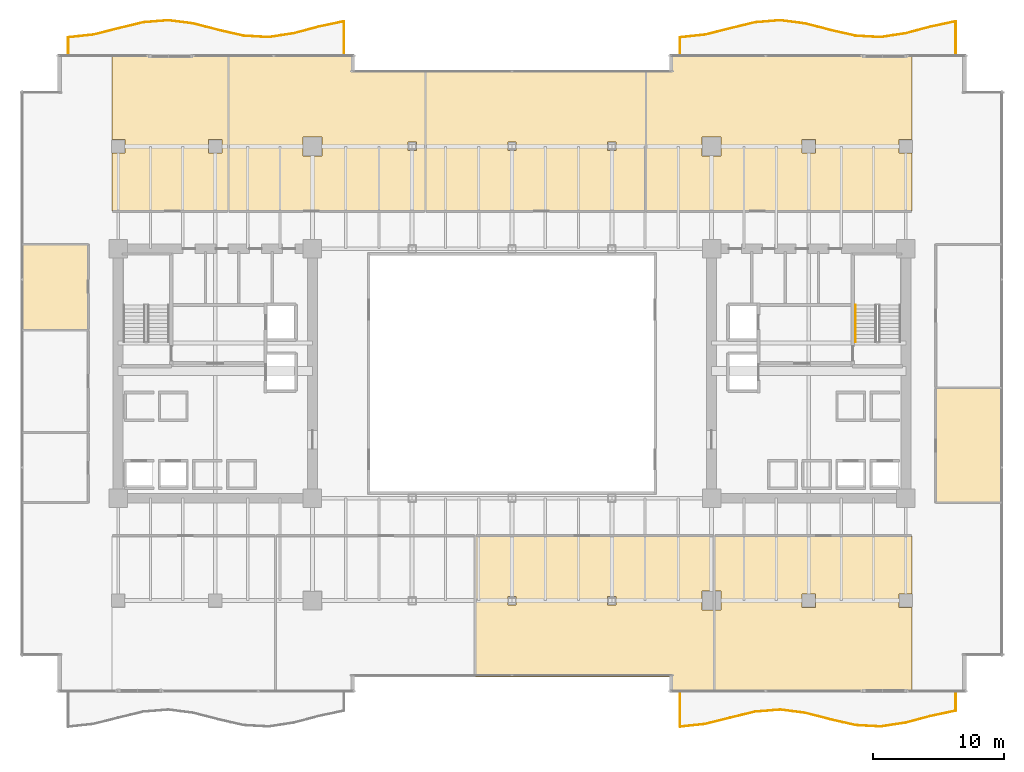
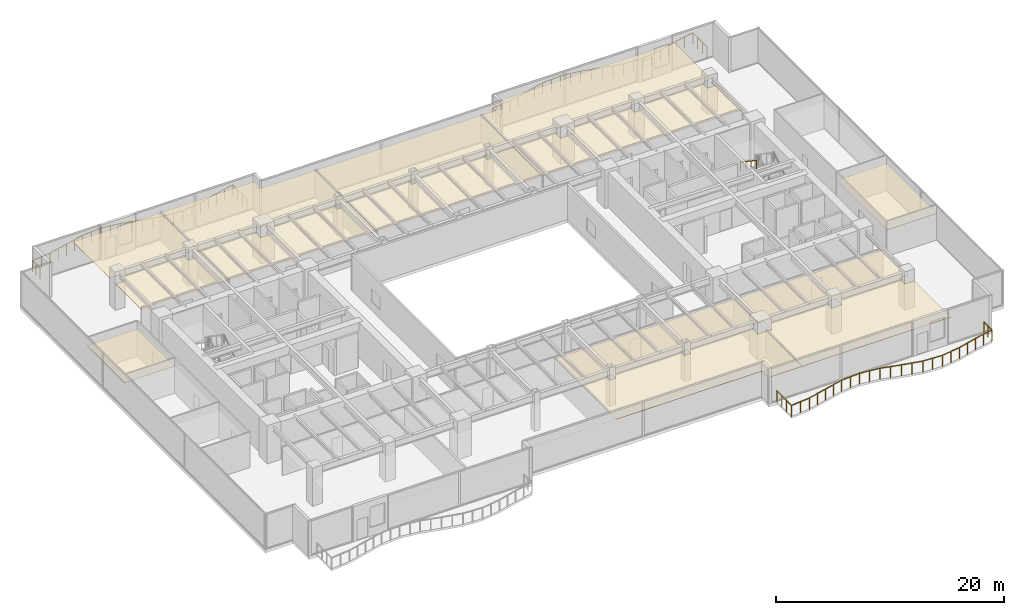
# One storey, part 31 of 32: 8 coverings, 4 railings.
"""IFC4 building model written with IfcOpenShell, lengths in metres."""

from ifc_helpers import new_model, si_unit, direction, frame, origin, origin_2d, place, context, subcontext, project, spatial, polyline, circle, outline, extrude, source, transform, mapped, material, layer, layer_set, type_object, type_shapes, element, save


model = new_model("IFC4")

# Units and contexts
model_context = context("Model", 3, precision=1e-05, world=origin(), true_north=direction((0.0, 1.0)))
body_context = subcontext(model_context, "Body", "Model", "MODEL_VIEW")
ifc_project = project(units=[si_unit("LENGTHUNIT", "METRE"), si_unit("AREAUNIT", "SQUARE_METRE"), si_unit("VOLUMEUNIT", "CUBIC_METRE"), si_unit("PLANEANGLEUNIT", "RADIAN"), si_unit("MASSUNIT", "GRAM", prefix="KILO")], contexts=[model_context])

# Site, building, storey
site_placement = place(None, origin())
site = spatial("IfcSite", under=ifc_project, at=site_placement, CompositionType="ELEMENT")
building_placement = place(site_placement, origin())
building = spatial("IfcBuilding", under=site, at=building_placement, Name="Haelvirn Gate Laboratories", CompositionType="ELEMENT")
storey_placement = place(building_placement, frame((0.0, 0.0, 33.39990234375)))
storey = spatial("IfcBuildingStorey", under=building, at=storey_placement, Name="L08", CompositionType="ELEMENT", Elevation=33.39990234375)

# Coverings
ifc_material_1 = material(Name="Micro-perforated acoustic mineral-fibre laboratory ceiling")
ifc_layer = layer(ifc_material_1, 0.0400390625, Name="COV-CEIL-ACT")
ifc_layer_set = layer_set([ifc_layer], Name="Micro-perforated acoustic mineral-fibre laboratory ceiling")
covering_type = type_object("IfcCoveringType", Name="COV-CEIL-ACT", PredefinedType="CEILING", material=ifc_layer_set)
covering_1_placement = place(storey_placement, frame((0.0, 0.0, 2.81005859375)))
element("IfcCovering", 1, at=covering_1_placement, inside=storey, type_object=covering_type, Name="L08 Laboratory Acoustic Ceiling CEIL-SP-L08-S-03", PredefinedType="CEILING", context=body_context, shape_type="SweptSolid", body=[
    extrude(outline(polyline([(52.780029296875, 11.929931640625), (52.780029296875, 7.719970703125), (51.8798828125, 7.719970703125), (51.8798828125, 6.280029296875), (52.780029296875, 6.280029296875), (52.780029296875, 0.050048828125), (49.3798828125, 0.050048828125), (49.3798828125, 1.179931640625), (34.6201171875, 1.179931640625), (34.6201171875, 11.929931640625), (52.780029296875, 11.929931640625)]), holes=[polyline([(37.080078125, 7.320068359375), (37.080078125, 6.679931640625), (37.719970703125, 6.679931640625), (37.719970703125, 7.320068359375), (37.080078125, 7.320068359375)]), polyline([(45.320068359375, 7.320068359375), (44.679931640625, 7.320068359375), (44.679931640625, 6.679931640625), (45.320068359375, 6.679931640625), (45.320068359375, 7.320068359375)])]), origin(), (0.0, 0.0, 1.0), 0.0400390625),
])
covering_2_placement = place(storey_placement, frame((0.0, 0.0, 2.81005859375)))
element("IfcCovering", 2, at=covering_2_placement, inside=storey, type_object=covering_type, Name="L08 Laboratory Acoustic Ceiling CEIL-SP-L08-S-04", PredefinedType="CEILING", context=body_context, shape_type="SweptSolid", body=[
    extrude(outline(polyline([(67.8798828125, 7.52001953125), (66.8798828125, 7.52001953125), (66.8798828125, 6.47998046875), (67.8798828125, 6.47998046875), (67.8798828125, 0.050048828125), (52.820068359375, 0.050048828125), (52.820068359375, 6.280029296875), (53.320068359375, 6.280029296875), (53.320068359375, 7.719970703125), (52.820068359375, 7.719970703125), (52.820068359375, 11.929931640625), (67.8798828125, 11.929931640625), (67.8798828125, 7.52001953125)]), holes=[polyline([(59.47998046875, 7.52001953125), (59.47998046875, 6.47998046875), (60.52001953125, 6.47998046875), (60.52001953125, 7.52001953125), (59.47998046875, 7.52001953125)])]), origin(), (0.0, 0.0, 1.0), 0.0400390625),
])
covering_3_placement = place(storey_placement, frame((0.0, 0.0, 2.81005859375)))
element("IfcCovering", 3, at=covering_3_placement, inside=storey, type_object=covering_type, Name="L08 Laboratory Acoustic Ceiling CEIL-SP-L08-N-01", PredefinedType="CEILING", context=body_context, shape_type="SweptSolid", body=[
    extrude(outline(polyline([(6.919921875, 41.080078125), (7.919921875, 41.080078125), (7.919921875, 42.1201171875), (6.919921875, 42.1201171875), (6.919921875, 48.550048828125), (15.780029296875, 48.550048828125), (15.780029296875, 36.669921875), (6.919921875, 36.669921875), (6.919921875, 41.080078125)]), holes=[polyline([(14.280029296875, 42.1201171875), (14.280029296875, 41.080078125), (15.320068359375, 41.080078125), (15.320068359375, 42.1201171875), (14.280029296875, 42.1201171875)])]), origin(), (0.0, 0.0, 1.0), 0.0400390625),
])
covering_4_placement = place(storey_placement, frame((0.0, 0.0, 2.81005859375)))
element("IfcCovering", 4, at=covering_4_placement, inside=storey, type_object=covering_type, Name="L08 Laboratory Acoustic Ceiling CEIL-SP-L08-N-02", PredefinedType="CEILING", context=body_context, shape_type="SweptSolid", body=[
    extrude(outline(polyline([(30.780029296875, 36.669921875), (15.820068359375, 36.669921875), (15.820068359375, 48.550048828125), (25.419921875, 48.550048828125), (25.419921875, 47.419921875), (30.780029296875, 47.419921875), (30.780029296875, 36.669921875)]), holes=[polyline([(21.47998046875, 42.320068359375), (21.47998046875, 40.8798828125), (22.919921875, 40.8798828125), (22.919921875, 42.320068359375), (21.47998046875, 42.320068359375)]), polyline([(30.1201171875, 41.919921875), (29.47998046875, 41.919921875), (29.47998046875, 41.280029296875), (30.1201171875, 41.280029296875), (30.1201171875, 41.919921875)])]), origin(), (0.0, 0.0, 1.0), 0.0400390625),
])
covering_5_placement = place(storey_placement, frame((0.0, 0.0, 2.81005859375)))
element("IfcCovering", 5, at=covering_5_placement, inside=storey, type_object=covering_type, Name="L08 Laboratory Acoustic Ceiling CEIL-SP-L08-N-03", PredefinedType="CEILING", context=body_context, shape_type="SweptSolid", body=[
    extrude(outline(polyline([(30.820068359375, 36.669921875), (30.820068359375, 47.419921875), (47.580078125, 47.419921875), (47.580078125, 36.669921875), (30.820068359375, 36.669921875)]), holes=[polyline([(37.080078125, 41.919921875), (37.080078125, 41.280029296875), (37.719970703125, 41.280029296875), (37.719970703125, 41.919921875), (37.080078125, 41.919921875)]), polyline([(45.320068359375, 41.919921875), (44.679931640625, 41.919921875), (44.679931640625, 41.280029296875), (45.320068359375, 41.280029296875), (45.320068359375, 41.919921875)])]), origin(), (0.0, 0.0, 1.0), 0.0400390625),
])
covering_6_placement = place(storey_placement, frame((0.0, 0.0, 2.81005859375)))
element("IfcCovering", 6, at=covering_6_placement, inside=storey, type_object=covering_type, Name="L08 Laboratory Acoustic Ceiling CEIL-SP-L08-N-04", PredefinedType="CEILING", context=body_context, shape_type="SweptSolid", body=[
    extrude(outline(polyline([(67.8798828125, 42.1201171875), (66.8798828125, 42.1201171875), (66.8798828125, 41.080078125), (67.8798828125, 41.080078125), (67.8798828125, 36.669921875), (47.6201171875, 36.669921875), (47.6201171875, 47.419921875), (49.3798828125, 47.419921875), (49.3798828125, 48.550048828125), (67.8798828125, 48.550048828125), (67.8798828125, 42.1201171875)]), holes=[polyline([(51.8798828125, 40.8798828125), (53.320068359375, 40.8798828125), (53.320068359375, 42.320068359375), (51.8798828125, 42.320068359375), (51.8798828125, 40.8798828125)]), polyline([(59.47998046875, 42.1201171875), (59.47998046875, 41.080078125), (60.52001953125, 41.080078125), (60.52001953125, 42.1201171875), (59.47998046875, 42.1201171875)])]), origin(), (0.0, 0.0, 1.0), 0.0400390625),
])
covering_7_placement = place(storey_placement, frame((0.0, 0.0, 2.81005859375)))
element("IfcCovering", 7, at=covering_7_placement, inside=storey, type_object=covering_type, Name="L08 Laboratory Acoustic Ceiling CEIL-SP-L08-WCELL-03", PredefinedType="CEILING", context=body_context, shape_type="SweptSolid", body=[
    extrude(outline(polyline([(0.050048828125, 34.195068359375), (5.1201171875, 34.195068359375), (5.1201171875, 27.60009765625), (0.050048828125, 27.60009765625), (0.050048828125, 34.195068359375)])), origin(), (0.0, 0.0, 1.0), 0.0400390625),
])
covering_8_placement = place(storey_placement, frame((0.0, 0.0, 2.81005859375)))
element("IfcCovering", 8, at=covering_8_placement, inside=storey, type_object=covering_type, Name="L08 Laboratory Acoustic Ceiling CEIL-SP-L08-ECELL-01", PredefinedType="CEILING", context=body_context, shape_type="SweptSolid", body=[
    extrude(outline(polyline([(69.679931640625, 23.199951171875), (74.75, 23.199951171875), (74.75, 14.405029296875), (69.679931640625, 14.405029296875), (69.679931640625, 23.199951171875)])), origin(), (0.0, 0.0, 1.0), 0.0400390625),
])

# Railings
ifc_material_2 = material(Name="Laminated safety glass & bronze stainless steel 316L", Category="steel")
railing_type_1 = type_object("IfcRailingType", Name="RLG-BAL-1200", PredefinedType="BALUSTRADE", material=ifc_material_2)
shared_shape_1 = source(origin(), body_context, "Body", "SweptSolid", [
    extrude(circle(Radius=0.02392578125, at=origin_2d()), frame((0.0, 0.0, 1.17578125), z_axis=(0.0, 1.0, 0.0), x_axis=(-1.0, 0.0, 0.0)), (0.0, 0.0, 1.0), 1.2998046875),
    extrude(circle(Radius=0.02392578125, at=origin_2d()), frame((0.0, 1.2998046875, 1.17578125), z_axis=(0.994439750524, 0.105307087023, 0.0), x_axis=(-0.105307087023, 0.994439750524, 0.0)), (0.0, 0.0, 1.0), 1.919677734375),
    extrude(circle(Radius=0.02392578125, at=origin_2d()), frame((1.908935546875, 1.501953125, 1.17578125), z_axis=(0.969761987423, 0.244052633152, 0.0), x_axis=(-0.244052633152, 0.969761987423, 0.0)), (0.0, 0.0, 1.0), 1.96875),
    extrude(circle(Radius=0.02392578125, at=origin_2d()), frame((3.818115234375, 1.982421875, 1.17578125), z_axis=(0.972127166857, 0.234454199065, 0.0), x_axis=(-0.234454199065, 0.972127166857, 0.0)), (0.0, 0.0, 1.0), 1.9638671875),
    extrude(circle(Radius=0.02392578125, at=origin_2d()), frame((5.727294921875, 2.44287109375, 1.17578125), z_axis=(0.996769718558, 0.080312689946, 0.0), x_axis=(-0.080312689946, 0.996769718558, 0.0)), (0.0, 0.0, 1.0), 1.9150390625),
    extrude(circle(Radius=0.02392578125, at=origin_2d()), frame((7.63623046875, 2.5966796875, 1.17578125), z_axis=(0.99164913159, -0.128965110848, 0.0), x_axis=(0.128965110848, 0.99164913159, 0.0)), (0.0, 0.0, 1.0), 1.92529296875),
    extrude(circle(Radius=0.02392578125, at=origin_2d()), frame((9.54541015625, 2.348388671875, 1.17578125), z_axis=(0.96785083739, -0.251524862716, 0.0), x_axis=(0.251524862716, 0.96785083739, 0.0)), (0.0, 0.0, 1.0), 1.972412109375),
    extrude(circle(Radius=0.02392578125, at=origin_2d()), frame((11.454345703125, 1.852294921875, 1.17578125), z_axis=(0.974978303396, -0.222300040276, 0.0), x_axis=(0.222300040276, 0.974978303396, 0.0)), (0.0, 0.0, 1.0), 1.958251953125),
    extrude(circle(Radius=0.02392578125, at=origin_2d()), frame((13.363525390625, 1.4169921875, 1.17578125), z_axis=(0.998519493226, -0.054395051677, 0.0), x_axis=(0.054395051677, 0.998519493226, 0.0)), (0.0, 0.0, 1.0), 1.912109375),
    extrude(circle(Radius=0.02392578125, at=origin_2d()), frame((15.272705078125, 1.31298828125, 1.17578125), z_axis=(0.988521754732, 0.151078590217, 0.0), x_axis=(-0.151078590217, 0.988521754732, 0.0)), (0.0, 0.0, 1.0), 1.93115234375),
    extrude(circle(Radius=0.02392578125, at=origin_2d()), frame((17.181640625, 1.604736328125, 1.17578125), z_axis=(0.966552179004, 0.256470047498, 0.0), x_axis=(-0.256470047498, 0.966552179004, 0.0)), (0.0, 0.0, 1.0), 1.975341796875),
    extrude(circle(Radius=0.02392578125, at=origin_2d()), frame((19.0908203125, 2.111328125, 1.17578125), z_axis=(0.978127050524, 0.208008348468, 0.0), x_axis=(-0.208008348468, 0.978127050524, 0.0)), (0.0, 0.0, 1.0), 1.951904296875),
    extrude(circle(Radius=0.02392578125, at=origin_2d()), frame((21.0, 2.517333984375, 1.17578125), z_axis=(0.0, -1.0, 0.0), x_axis=(1.0, 0.0, 0.0)), (0.0, 0.0, 1.0), 2.517333984375),
    extrude(circle(Radius=0.02099609375, at=origin_2d()), origin(), (0.0, 0.0, 1.0), 1.15185546875),
    extrude(circle(Radius=0.02099609375, at=origin_2d()), frame((0.0, 0.64990234375, 0.0)), (0.0, 0.0, 1.0), 1.15185546875),
    extrude(circle(Radius=0.02099609375, at=origin_2d()), frame((0.0, 1.2998046875, 0.0)), (0.0, 0.0, 1.0), 1.15185546875),
    extrude(circle(Radius=0.02099609375, at=origin_2d()), frame((0.95458984375, 1.40087890625, 0.0)), (0.0, 0.0, 1.0), 1.15185546875),
    extrude(circle(Radius=0.02099609375, at=origin_2d()), frame((1.908935546875, 1.501953125, 0.0)), (0.0, 0.0, 1.0), 1.15185546875),
    extrude(circle(Radius=0.02099609375, at=origin_2d()), frame((2.863525390625, 1.7421875, 0.0)), (0.0, 0.0, 1.0), 1.15185546875),
    extrude(circle(Radius=0.02099609375, at=origin_2d()), frame((3.818115234375, 1.982421875, 0.0)), (0.0, 0.0, 1.0), 1.15185546875),
    extrude(circle(Radius=0.02099609375, at=origin_2d()), frame((4.772705078125, 2.212646484375, 0.0)), (0.0, 0.0, 1.0), 1.15185546875),
    extrude(circle(Radius=0.02099609375, at=origin_2d()), frame((5.727294921875, 2.44287109375, 0.0)), (0.0, 0.0, 1.0), 1.15185546875),
    extrude(circle(Radius=0.02099609375, at=origin_2d()), frame((6.681640625, 2.519775390625, 0.0)), (0.0, 0.0, 1.0), 1.15185546875),
    extrude(circle(Radius=0.02099609375, at=origin_2d()), frame((7.63623046875, 2.5966796875, 0.0)), (0.0, 0.0, 1.0), 1.15185546875),
    extrude(circle(Radius=0.02099609375, at=origin_2d()), frame((8.5908203125, 2.47265625, 0.0)), (0.0, 0.0, 1.0), 1.15185546875),
    extrude(circle(Radius=0.02099609375, at=origin_2d()), frame((9.54541015625, 2.348388671875, 0.0)), (0.0, 0.0, 1.0), 1.15185546875),
    extrude(circle(Radius=0.02099609375, at=origin_2d()), frame((10.5, 2.100341796875, 0.0)), (0.0, 0.0, 1.0), 1.15185546875),
    extrude(circle(Radius=0.02099609375, at=origin_2d()), frame((11.454345703125, 1.852294921875, 0.0)), (0.0, 0.0, 1.0), 1.15185546875),
    extrude(circle(Radius=0.02099609375, at=origin_2d()), frame((12.408935546875, 1.634765625, 0.0)), (0.0, 0.0, 1.0), 1.15185546875),
    extrude(circle(Radius=0.02099609375, at=origin_2d()), frame((13.363525390625, 1.4169921875, 0.0)), (0.0, 0.0, 1.0), 1.15185546875),
    extrude(circle(Radius=0.02099609375, at=origin_2d()), frame((14.318115234375, 1.364990234375, 0.0)), (0.0, 0.0, 1.0), 1.15185546875),
    extrude(circle(Radius=0.02099609375, at=origin_2d()), frame((15.272705078125, 1.31298828125, 0.0)), (0.0, 0.0, 1.0), 1.15185546875),
    extrude(circle(Radius=0.02099609375, at=origin_2d()), frame((16.22705078125, 1.458984375, 0.0)), (0.0, 0.0, 1.0), 1.15185546875),
    extrude(circle(Radius=0.02099609375, at=origin_2d()), frame((17.181640625, 1.604736328125, 0.0)), (0.0, 0.0, 1.0), 1.15185546875),
    extrude(circle(Radius=0.02099609375, at=origin_2d()), frame((18.13623046875, 1.85791015625, 0.0)), (0.0, 0.0, 1.0), 1.15185546875),
    extrude(circle(Radius=0.02099609375, at=origin_2d()), frame((19.0908203125, 2.111328125, 0.0)), (0.0, 0.0, 1.0), 1.15185546875),
    extrude(circle(Radius=0.02099609375, at=origin_2d()), frame((20.04541015625, 2.314453125, 0.0)), (0.0, 0.0, 1.0), 1.15185546875),
    extrude(circle(Radius=0.02099609375, at=origin_2d()), frame((21.0, 2.517333984375, 0.0)), (0.0, 0.0, 1.0), 1.15185546875),
    extrude(circle(Radius=0.02099609375, at=origin_2d()), frame((21.0, 1.67822265625, 0.0)), (0.0, 0.0, 1.0), 1.15185546875),
    extrude(circle(Radius=0.02099609375, at=origin_2d()), frame((21.0, 0.839111328125, 0.0)), (0.0, 0.0, 1.0), 1.15185546875),
    extrude(circle(Radius=0.02099609375, at=origin_2d()), frame((21.0, 0.0, 0.0)), (0.0, 0.0, 1.0), 1.15185546875),
])
railing_1_placement = place(storey_placement, frame((3.60009765625, 48.60009765625, 0.0)))
element("IfcRailing", 9, at=railing_1_placement, inside=storey, type_object=railing_type_1, Name="L08 Wave Balcony Balustrade WL-N", PredefinedType="BALUSTRADE", context=body_context, shape_type="MappedRepresentation", body=[
    mapped(shared_shape_1, transform((0.0, 0.0, 0.0), scale=1.0)),
])
shared_shape_2 = source(origin(), body_context, "Body", "SweptSolid", [
    extrude(circle(Radius=0.02392578125, at=origin_2d()), frame((0.0, 0.0, 1.17578125), z_axis=(0.0, -1.0, 0.0), x_axis=(1.0, 0.0, 0.0)), (0.0, 0.0, 1.0), 2.60009765625),
    extrude(circle(Radius=0.02392578125, at=origin_2d()), frame((0.0, -2.60009765625, 1.17578125), z_axis=(0.994441160657, 0.105293769952, 0.0), x_axis=(-0.105293769952, 0.994441160657, 0.0)), (0.0, 0.0, 1.0), 1.919921875),
    extrude(circle(Radius=0.02392578125, at=origin_2d()), frame((1.9091796875, -2.39794921875, 1.17578125), z_axis=(0.969761987423, 0.244052633152, 0.0), x_axis=(-0.244052633152, 0.969761987423, 0.0)), (0.0, 0.0, 1.0), 1.96875),
    extrude(circle(Radius=0.02392578125, at=origin_2d()), frame((3.818359375, -1.91748046875, 1.17578125), z_axis=(0.972120332288, 0.234482535707, 0.0), x_axis=(-0.234482535707, 0.972120332288, 0.0)), (0.0, 0.0, 1.0), 1.963623046875),
    extrude(circle(Radius=0.02392578125, at=origin_2d()), frame((5.727294921875, -1.45703125, 1.17578125), z_axis=(0.996770540666, 0.080302486013, 0.0), x_axis=(-0.080302486013, 0.996770540666, 0.0)), (0.0, 0.0, 1.0), 1.915283203125),
    extrude(circle(Radius=0.02392578125, at=origin_2d()), frame((7.636474609375, -1.30322265625, 1.17578125), z_axis=(0.99164913159, -0.128965110848, 0.0), x_axis=(0.128965110848, 0.99164913159, 0.0)), (0.0, 0.0, 1.0), 1.92529296875),
    extrude(circle(Radius=0.02392578125, at=origin_2d()), frame((9.545654296875, -1.551513671875, 1.17578125), z_axis=(0.96785083739, -0.251524862716, 0.0), x_axis=(0.251524862716, 0.96785083739, 0.0)), (0.0, 0.0, 1.0), 1.972412109375),
    extrude(circle(Radius=0.02392578125, at=origin_2d()), frame((11.45458984375, -2.047607421875, 1.17578125), z_axis=(0.974978303396, -0.222300040276, 0.0), x_axis=(0.222300040276, 0.974978303396, 0.0)), (0.0, 0.0, 1.0), 1.958251953125),
    extrude(circle(Radius=0.02392578125, at=origin_2d()), frame((13.36376953125, -2.48291015625, 1.17578125), z_axis=(0.998519115348, -0.054401987868, 0.0), x_axis=(0.054401987868, 0.998519115348, 0.0)), (0.0, 0.0, 1.0), 1.911865234375),
    extrude(circle(Radius=0.02392578125, at=origin_2d()), frame((15.272705078125, -2.5869140625, 1.17578125), z_axis=(0.988524639822, 0.151059711584, 0.0), x_axis=(-0.151059711584, 0.988524639822, 0.0)), (0.0, 0.0, 1.0), 1.931396484375),
    extrude(circle(Radius=0.02392578125, at=origin_2d()), frame((17.181884765625, -2.295166015625, 1.17578125), z_axis=(0.966552179004, 0.256470047498, 0.0), x_axis=(-0.256470047498, 0.966552179004, 0.0)), (0.0, 0.0, 1.0), 1.975341796875),
    extrude(circle(Radius=0.02392578125, at=origin_2d()), frame((19.091064453125, -1.78857421875, 1.17578125), z_axis=(0.978121637627, 0.20803380015, 0.0), x_axis=(-0.20803380015, 0.978121637627, 0.0)), (0.0, 0.0, 1.0), 1.95166015625),
    extrude(circle(Radius=0.02392578125, at=origin_2d()), frame((21.0, -1.382568359375, 1.17578125), z_axis=(0.0, 1.0, 0.0), x_axis=(-1.0, 0.0, 0.0)), (0.0, 0.0, 1.0), 1.382568359375),
    extrude(circle(Radius=0.02099609375, at=origin_2d()), origin(), (0.0, 0.0, 1.0), 1.15185546875),
    extrude(circle(Radius=0.02099609375, at=origin_2d()), frame((0.0, -0.86669921875, 0.0)), (0.0, 0.0, 1.0), 1.15185546875),
    extrude(circle(Radius=0.02099609375, at=origin_2d()), frame((0.0, -1.7333984375, 0.0)), (0.0, 0.0, 1.0), 1.15185546875),
    extrude(circle(Radius=0.02099609375, at=origin_2d()), frame((0.0, -2.60009765625, 0.0)), (0.0, 0.0, 1.0), 1.15185546875),
    extrude(circle(Radius=0.02099609375, at=origin_2d()), frame((0.95458984375, -2.4990234375, 0.0)), (0.0, 0.0, 1.0), 1.15185546875),
    extrude(circle(Radius=0.02099609375, at=origin_2d()), frame((1.9091796875, -2.39794921875, 0.0)), (0.0, 0.0, 1.0), 1.15185546875),
    extrude(circle(Radius=0.02099609375, at=origin_2d()), frame((2.86376953125, -2.15771484375, 0.0)), (0.0, 0.0, 1.0), 1.15185546875),
    extrude(circle(Radius=0.02099609375, at=origin_2d()), frame((3.818359375, -1.91748046875, 0.0)), (0.0, 0.0, 1.0), 1.15185546875),
    extrude(circle(Radius=0.02099609375, at=origin_2d()), frame((4.77294921875, -1.687255859375, 0.0)), (0.0, 0.0, 1.0), 1.15185546875),
    extrude(circle(Radius=0.02099609375, at=origin_2d()), frame((5.727294921875, -1.45703125, 0.0)), (0.0, 0.0, 1.0), 1.15185546875),
    extrude(circle(Radius=0.02099609375, at=origin_2d()), frame((6.681884765625, -1.380126953125, 0.0)), (0.0, 0.0, 1.0), 1.15185546875),
    extrude(circle(Radius=0.02099609375, at=origin_2d()), frame((7.636474609375, -1.30322265625, 0.0)), (0.0, 0.0, 1.0), 1.15185546875),
    extrude(circle(Radius=0.02099609375, at=origin_2d()), frame((8.591064453125, -1.42724609375, 0.0)), (0.0, 0.0, 1.0), 1.15185546875),
    extrude(circle(Radius=0.02099609375, at=origin_2d()), frame((9.545654296875, -1.551513671875, 0.0)), (0.0, 0.0, 1.0), 1.15185546875),
    extrude(circle(Radius=0.02099609375, at=origin_2d()), frame((10.5, -1.799560546875, 0.0)), (0.0, 0.0, 1.0), 1.15185546875),
    extrude(circle(Radius=0.02099609375, at=origin_2d()), frame((11.45458984375, -2.047607421875, 0.0)), (0.0, 0.0, 1.0), 1.15185546875),
    extrude(circle(Radius=0.02099609375, at=origin_2d()), frame((12.4091796875, -2.26513671875, 0.0)), (0.0, 0.0, 1.0), 1.15185546875),
    extrude(circle(Radius=0.02099609375, at=origin_2d()), frame((13.36376953125, -2.48291015625, 0.0)), (0.0, 0.0, 1.0), 1.15185546875),
    extrude(circle(Radius=0.02099609375, at=origin_2d()), frame((14.318359375, -2.534912109375, 0.0)), (0.0, 0.0, 1.0), 1.15185546875),
    extrude(circle(Radius=0.02099609375, at=origin_2d()), frame((15.272705078125, -2.5869140625, 0.0)), (0.0, 0.0, 1.0), 1.15185546875),
    extrude(circle(Radius=0.02099609375, at=origin_2d()), frame((16.227294921875, -2.44091796875, 0.0)), (0.0, 0.0, 1.0), 1.15185546875),
    extrude(circle(Radius=0.02099609375, at=origin_2d()), frame((17.181884765625, -2.295166015625, 0.0)), (0.0, 0.0, 1.0), 1.15185546875),
    extrude(circle(Radius=0.02099609375, at=origin_2d()), frame((18.136474609375, -2.0419921875, 0.0)), (0.0, 0.0, 1.0), 1.15185546875),
    extrude(circle(Radius=0.02099609375, at=origin_2d()), frame((19.091064453125, -1.78857421875, 0.0)), (0.0, 0.0, 1.0), 1.15185546875),
    extrude(circle(Radius=0.02099609375, at=origin_2d()), frame((20.04541015625, -1.58544921875, 0.0)), (0.0, 0.0, 1.0), 1.15185546875),
    extrude(circle(Radius=0.02099609375, at=origin_2d()), frame((21.0, -1.382568359375, 0.0)), (0.0, 0.0, 1.0), 1.15185546875),
    extrude(circle(Radius=0.02099609375, at=origin_2d()), frame((21.0, -0.69140625, 0.0)), (0.0, 0.0, 1.0), 1.15185546875),
    extrude(circle(Radius=0.02099609375, at=origin_2d()), frame((21.0, 0.0, 0.0)), (0.0, 0.0, 1.0), 1.15185546875),
])
railing_2_placement = place(storey_placement, frame((50.199951171875, 0.0, 0.0)))
element("IfcRailing", 10, at=railing_2_placement, inside=storey, type_object=railing_type_1, Name="L08 Wave Balcony Balustrade EL-S", PredefinedType="BALUSTRADE", context=body_context, shape_type="MappedRepresentation", body=[
    mapped(shared_shape_2, transform((0.0, 0.0, 0.0), scale=1.0)),
])
shared_shape_3 = source(origin(), body_context, "Body", "SweptSolid", [
    extrude(circle(Radius=0.02392578125, at=origin_2d()), frame((0.0, 0.0, 1.17578125), z_axis=(0.0, 1.0, 0.0), x_axis=(-1.0, 0.0, 0.0)), (0.0, 0.0, 1.0), 1.2998046875),
    extrude(circle(Radius=0.02392578125, at=origin_2d()), frame((0.0, 1.2998046875, 1.17578125), z_axis=(0.994441160657, 0.105293769952, 0.0), x_axis=(-0.105293769952, 0.994441160657, 0.0)), (0.0, 0.0, 1.0), 1.919921875),
    extrude(circle(Radius=0.02392578125, at=origin_2d()), frame((1.9091796875, 1.501953125, 1.17578125), z_axis=(0.969761987423, 0.244052633152, 0.0), x_axis=(-0.244052633152, 0.969761987423, 0.0)), (0.0, 0.0, 1.0), 1.96875),
    extrude(circle(Radius=0.02392578125, at=origin_2d()), frame((3.818359375, 1.982421875, 1.17578125), z_axis=(0.972120332288, 0.234482535707, 0.0), x_axis=(-0.234482535707, 0.972120332288, 0.0)), (0.0, 0.0, 1.0), 1.963623046875),
    extrude(circle(Radius=0.02392578125, at=origin_2d()), frame((5.727294921875, 2.44287109375, 1.17578125), z_axis=(0.996770540666, 0.080302486013, 0.0), x_axis=(-0.080302486013, 0.996770540666, 0.0)), (0.0, 0.0, 1.0), 1.915283203125),
    extrude(circle(Radius=0.02392578125, at=origin_2d()), frame((7.636474609375, 2.5966796875, 1.17578125), z_axis=(0.99164913159, -0.128965110848, 0.0), x_axis=(0.128965110848, 0.99164913159, 0.0)), (0.0, 0.0, 1.0), 1.92529296875),
    extrude(circle(Radius=0.02392578125, at=origin_2d()), frame((9.545654296875, 2.348388671875, 1.17578125), z_axis=(0.96785083739, -0.251524862716, 0.0), x_axis=(0.251524862716, 0.96785083739, 0.0)), (0.0, 0.0, 1.0), 1.972412109375),
    extrude(circle(Radius=0.02392578125, at=origin_2d()), frame((11.45458984375, 1.852294921875, 1.17578125), z_axis=(0.974978303396, -0.222300040276, 0.0), x_axis=(0.222300040276, 0.974978303396, 0.0)), (0.0, 0.0, 1.0), 1.958251953125),
    extrude(circle(Radius=0.02392578125, at=origin_2d()), frame((13.36376953125, 1.4169921875, 1.17578125), z_axis=(0.998519115348, -0.054401987868, 0.0), x_axis=(0.054401987868, 0.998519115348, 0.0)), (0.0, 0.0, 1.0), 1.911865234375),
    extrude(circle(Radius=0.02392578125, at=origin_2d()), frame((15.272705078125, 1.31298828125, 1.17578125), z_axis=(0.988524639822, 0.151059711584, 0.0), x_axis=(-0.151059711584, 0.988524639822, 0.0)), (0.0, 0.0, 1.0), 1.931396484375),
    extrude(circle(Radius=0.02392578125, at=origin_2d()), frame((17.181884765625, 1.604736328125, 1.17578125), z_axis=(0.966552179004, 0.256470047498, 0.0), x_axis=(-0.256470047498, 0.966552179004, 0.0)), (0.0, 0.0, 1.0), 1.975341796875),
    extrude(circle(Radius=0.02392578125, at=origin_2d()), frame((19.091064453125, 2.111328125, 1.17578125), z_axis=(0.978121637627, 0.20803380015, 0.0), x_axis=(-0.20803380015, 0.978121637627, 0.0)), (0.0, 0.0, 1.0), 1.95166015625),
    extrude(circle(Radius=0.02392578125, at=origin_2d()), frame((21.0, 2.517333984375, 1.17578125), z_axis=(0.0, -1.0, 0.0), x_axis=(1.0, 0.0, 0.0)), (0.0, 0.0, 1.0), 2.517333984375),
    extrude(circle(Radius=0.02099609375, at=origin_2d()), origin(), (0.0, 0.0, 1.0), 1.15185546875),
    extrude(circle(Radius=0.02099609375, at=origin_2d()), frame((0.0, 0.64990234375, 0.0)), (0.0, 0.0, 1.0), 1.15185546875),
    extrude(circle(Radius=0.02099609375, at=origin_2d()), frame((0.0, 1.2998046875, 0.0)), (0.0, 0.0, 1.0), 1.15185546875),
    extrude(circle(Radius=0.02099609375, at=origin_2d()), frame((0.95458984375, 1.40087890625, 0.0)), (0.0, 0.0, 1.0), 1.15185546875),
    extrude(circle(Radius=0.02099609375, at=origin_2d()), frame((1.9091796875, 1.501953125, 0.0)), (0.0, 0.0, 1.0), 1.15185546875),
    extrude(circle(Radius=0.02099609375, at=origin_2d()), frame((2.86376953125, 1.7421875, 0.0)), (0.0, 0.0, 1.0), 1.15185546875),
    extrude(circle(Radius=0.02099609375, at=origin_2d()), frame((3.818359375, 1.982421875, 0.0)), (0.0, 0.0, 1.0), 1.15185546875),
    extrude(circle(Radius=0.02099609375, at=origin_2d()), frame((4.77294921875, 2.212646484375, 0.0)), (0.0, 0.0, 1.0), 1.15185546875),
    extrude(circle(Radius=0.02099609375, at=origin_2d()), frame((5.727294921875, 2.44287109375, 0.0)), (0.0, 0.0, 1.0), 1.15185546875),
    extrude(circle(Radius=0.02099609375, at=origin_2d()), frame((6.681884765625, 2.519775390625, 0.0)), (0.0, 0.0, 1.0), 1.15185546875),
    extrude(circle(Radius=0.02099609375, at=origin_2d()), frame((7.636474609375, 2.5966796875, 0.0)), (0.0, 0.0, 1.0), 1.15185546875),
    extrude(circle(Radius=0.02099609375, at=origin_2d()), frame((8.591064453125, 2.47265625, 0.0)), (0.0, 0.0, 1.0), 1.15185546875),
    extrude(circle(Radius=0.02099609375, at=origin_2d()), frame((9.545654296875, 2.348388671875, 0.0)), (0.0, 0.0, 1.0), 1.15185546875),
    extrude(circle(Radius=0.02099609375, at=origin_2d()), frame((10.5, 2.100341796875, 0.0)), (0.0, 0.0, 1.0), 1.15185546875),
    extrude(circle(Radius=0.02099609375, at=origin_2d()), frame((11.45458984375, 1.852294921875, 0.0)), (0.0, 0.0, 1.0), 1.15185546875),
    extrude(circle(Radius=0.02099609375, at=origin_2d()), frame((12.4091796875, 1.634765625, 0.0)), (0.0, 0.0, 1.0), 1.15185546875),
    extrude(circle(Radius=0.02099609375, at=origin_2d()), frame((13.36376953125, 1.4169921875, 0.0)), (0.0, 0.0, 1.0), 1.15185546875),
    extrude(circle(Radius=0.02099609375, at=origin_2d()), frame((14.318359375, 1.364990234375, 0.0)), (0.0, 0.0, 1.0), 1.15185546875),
    extrude(circle(Radius=0.02099609375, at=origin_2d()), frame((15.272705078125, 1.31298828125, 0.0)), (0.0, 0.0, 1.0), 1.15185546875),
    extrude(circle(Radius=0.02099609375, at=origin_2d()), frame((16.227294921875, 1.458984375, 0.0)), (0.0, 0.0, 1.0), 1.15185546875),
    extrude(circle(Radius=0.02099609375, at=origin_2d()), frame((17.181884765625, 1.604736328125, 0.0)), (0.0, 0.0, 1.0), 1.15185546875),
    extrude(circle(Radius=0.02099609375, at=origin_2d()), frame((18.136474609375, 1.85791015625, 0.0)), (0.0, 0.0, 1.0), 1.15185546875),
    extrude(circle(Radius=0.02099609375, at=origin_2d()), frame((19.091064453125, 2.111328125, 0.0)), (0.0, 0.0, 1.0), 1.15185546875),
    extrude(circle(Radius=0.02099609375, at=origin_2d()), frame((20.04541015625, 2.314453125, 0.0)), (0.0, 0.0, 1.0), 1.15185546875),
    extrude(circle(Radius=0.02099609375, at=origin_2d()), frame((21.0, 2.517333984375, 0.0)), (0.0, 0.0, 1.0), 1.15185546875),
    extrude(circle(Radius=0.02099609375, at=origin_2d()), frame((21.0, 1.67822265625, 0.0)), (0.0, 0.0, 1.0), 1.15185546875),
    extrude(circle(Radius=0.02099609375, at=origin_2d()), frame((21.0, 0.839111328125, 0.0)), (0.0, 0.0, 1.0), 1.15185546875),
    extrude(circle(Radius=0.02099609375, at=origin_2d()), frame((21.0, 0.0, 0.0)), (0.0, 0.0, 1.0), 1.15185546875),
])
type_shapes(railing_type_1, [shared_shape_1, shared_shape_2, shared_shape_3])
railing_3_placement = place(storey_placement, frame((50.199951171875, 48.60009765625, 0.0)))
element("IfcRailing", 11, at=railing_3_placement, inside=storey, type_object=railing_type_1, Name="L08 Wave Balcony Balustrade EL-N", PredefinedType="BALUSTRADE", context=body_context, shape_type="MappedRepresentation", body=[
    mapped(shared_shape_3, transform((0.0, 0.0, 0.0), scale=1.0)),
])
ifc_material_3 = material(Name="Brushed stainless steel 316L", Category="steel")
railing_type_2 = type_object("IfcRailingType", Name="RL-HAND-920", PredefinedType="HANDRAIL", material=ifc_material_3)
shared_shape_4 = source(origin(), body_context, "Body", "SweptSolid", [
    extrude(circle(Radius=0.02392578125, at=origin_2d()), frame((0.0, 0.0, 0.8759765625), z_axis=(0.0, -0.832485552168, 0.554046753832), x_axis=(1.0, 0.0, 0.0)), (0.0, 0.0, 1.0), 3.363525390625),
    extrude(circle(Radius=0.02099609375, at=origin_2d()), origin(), (0.0, 0.0, 1.0), 0.851806640625),
    extrude(circle(Radius=0.02099609375, at=origin_2d()), frame((0.0, -0.933349609375, 0.62109375)), (0.0, 0.0, 1.0), 0.851806640625),
    extrude(circle(Radius=0.02099609375, at=origin_2d()), frame((0.0, -1.86669921875, 1.242431640625)), (0.0, 0.0, 1.0), 0.851806640625),
    extrude(circle(Radius=0.02099609375, at=origin_2d()), frame((0.0, -2.800048828125, 1.863525390625)), (0.0, 0.0, 1.0), 0.851806640625),
])
type_shapes(railing_type_2, [shared_shape_4])
railing_4_placement = place(storey_placement, frame((63.550048828125, 29.5, 2.236572265625)))
element("IfcRailing", 12, at=railing_4_placement, inside=storey, type_object=railing_type_2, Name="L08 ST2 stair handrail 2", PredefinedType="HANDRAIL", context=body_context, shape_type="MappedRepresentation", body=[
    mapped(shared_shape_4, transform((0.0, 0.0, 0.0), scale=1.0)),
])

save(model, "model.ifc")
